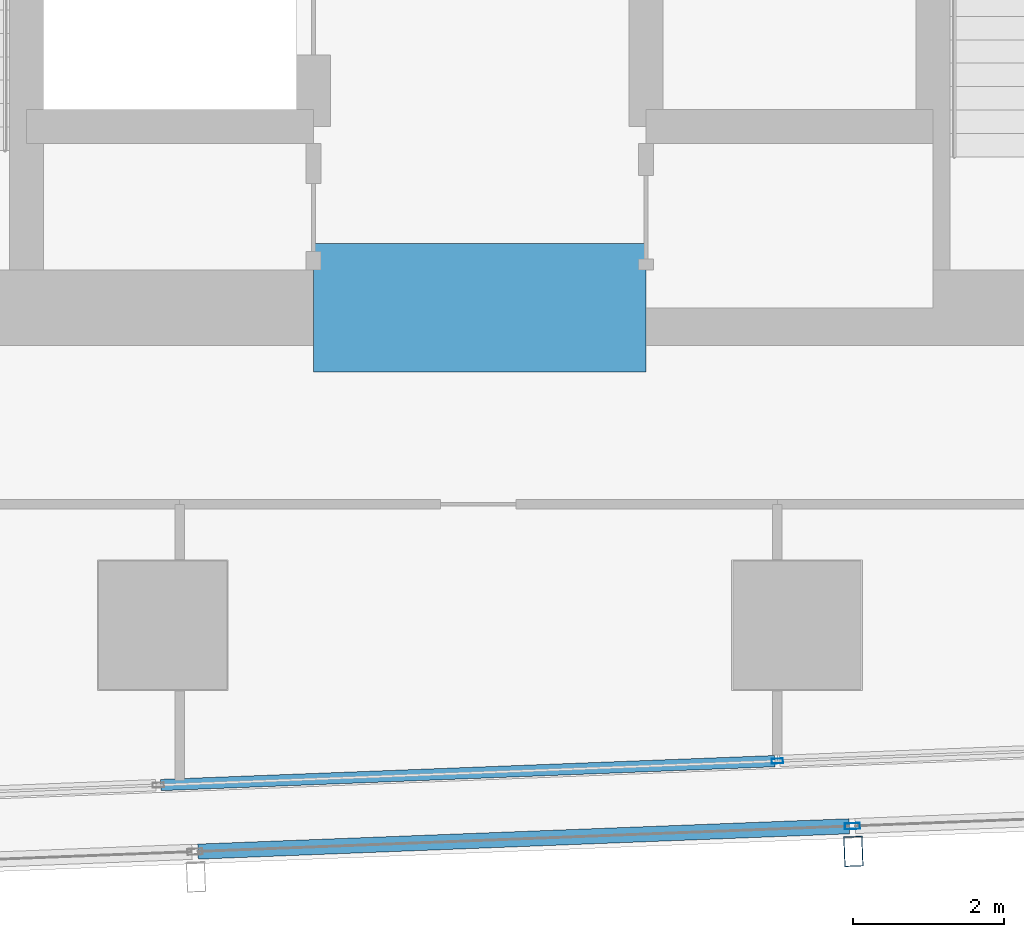
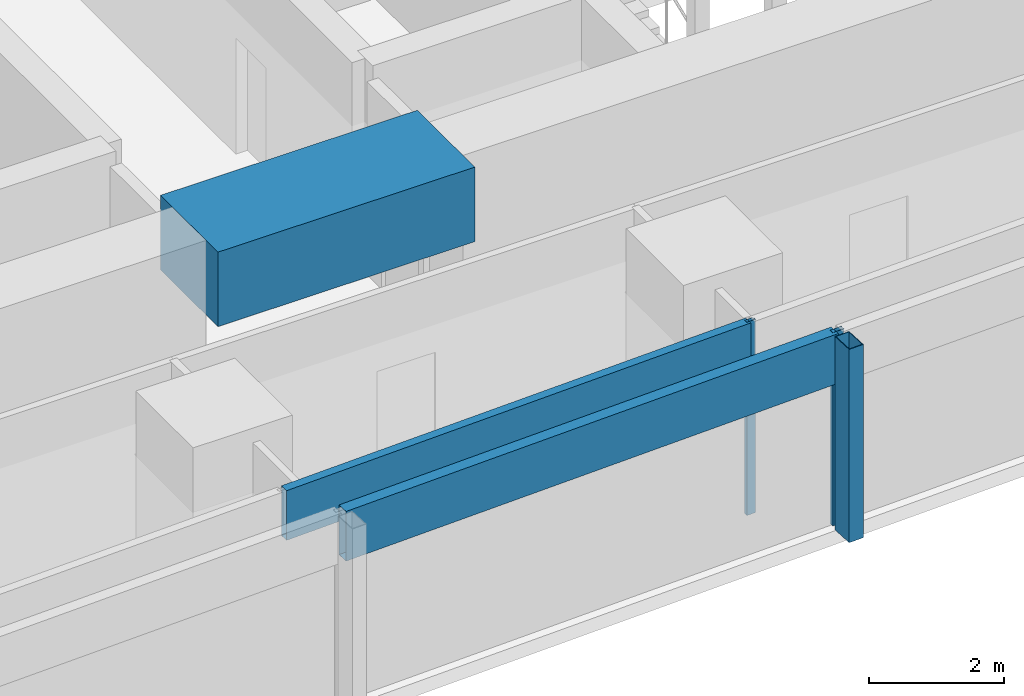
# One storey, part 6 of 38: 5 members, 1 beam, 2 elements without a shape of their own.
"""IFC4 building model written with IfcOpenShell, lengths in metres."""

from ifc_helpers import new_model, si_unit, direction, frame, origin, origin_2d, place, context, subcontext, project, spatial, rectangle, hollow_rectangle, extrude, material, material_profile, profile_set, type_object, element, aggregate, save


model = new_model("IFC4")

# Units and contexts
model_context = context("Model", 3, precision=1e-05, world=origin(), true_north=direction((0.0, 1.0)))
body_context = subcontext(model_context, "Body", "Model", "MODEL_VIEW")
ifc_project = project(units=[si_unit("LENGTHUNIT", "METRE"), si_unit("AREAUNIT", "SQUARE_METRE"), si_unit("VOLUMEUNIT", "CUBIC_METRE"), si_unit("PLANEANGLEUNIT", "RADIAN"), si_unit("MASSUNIT", "GRAM", prefix="KILO")], contexts=[model_context])

# Site, building, storey
site_placement = place(None, origin())
site = spatial("IfcSite", under=ifc_project, at=site_placement, CompositionType="ELEMENT")
building_placement = place(site_placement, origin())
building = spatial("IfcBuilding", under=site, at=building_placement, Name="Rekha Terrace Tower", CompositionType="ELEMENT")
storey_placement = place(building_placement, frame((0.0, 0.0, 114.050048828125)))
storey = spatial("IfcBuildingStorey", under=building, at=storey_placement, Name="L28", CompositionType="ELEMENT", Elevation=114.050048828125)

# Curtain wall, member
ifc_material_1 = material(Name="Aluminium framing", Category="aluminium")
curtain_wall_type_1 = type_object("IfcCurtainWallType", Name="CW2 double skin outer glazing", PredefinedType="USERDEFINED", material=ifc_material_1)
curtain_wall_1_placement = place(storey_placement, origin())
curtain_wall_1 = element("IfcCurtainWall", 1, at=curtain_wall_1_placement, inside=storey, type_object=curtain_wall_type_1, Name="CW2 double skin outer glazing", ObjectType="DOUBLE SKIN OUTER GLAZING", PredefinedType="USERDEFINED")
ifc_material_2 = material(Name="Steel S355 with fluorocarbon finish", Category="steel")
ifc_material_profile_1 = material_profile(ifc_material_2, hollow_rectangle(XDim=0.25, YDim=0.39990234375, WallThickness=0.012451171875, at=origin_2d()), Name="RHS400x250x12.5")
ifc_profile_set_1 = profile_set([ifc_material_profile_1], Name="Steel S355 with fluorocarbon finish")
member_type_1 = type_object("IfcMemberType", Name="BL1 facade blade RHS 400 x 250", PredefinedType="USERDEFINED", material=ifc_profile_set_1)
member_1_placement = place(storey_placement, frame((42.747314453125, 13.802978515625, 0.0), z_axis=(0.0, 0.0, 1.0), x_axis=(0.999243494356, 0.038890088543, 0.0)))
member_1 = element("IfcMember", 2, at=member_1_placement, type_object=member_type_1, Name="Facade blade", ObjectType="FACADE BLADE", PredefinedType="USERDEFINED", context=body_context, shape_type="SweptSolid", body=[
    extrude(hollow_rectangle(XDim=0.25, YDim=0.39990234375, WallThickness=0.012451171875, at=origin_2d()), origin(), (0.0, 0.0, 1.0), 3.5),
])

# Curtain wall, members
curtain_wall_type_2 = type_object("IfcCurtainWallType", Name="CW1 double skin inner glazing", PredefinedType="USERDEFINED", material=ifc_material_1)
curtain_wall_2_placement = place(storey_placement, origin())
curtain_wall_2 = element("IfcCurtainWall", 3, at=curtain_wall_2_placement, inside=storey, type_object=curtain_wall_type_2, Name="CW1 double skin inner glazing", ObjectType="DOUBLE SKIN INNER GLAZING", PredefinedType="USERDEFINED")
ifc_material_3 = material(Name="Aluminium mullion section", Category="aluminium")
ifc_material_profile_2 = material_profile(ifc_material_3, hollow_rectangle(XDim=0.06494140625, YDim=0.14990234375, WallThickness=0.00390625, at=origin_2d()), Name="AL RHS 65x150")
ifc_profile_set_2 = profile_set([ifc_material_profile_2], Name="Aluminium mullion section")
member_type_2 = type_object("IfcMemberType", Name="CW1 mullion RHS 65 x 150", PredefinedType="MULLION", material=ifc_profile_set_2)
member_2_placement = place(storey_placement, frame((41.740234375, 14.999755859375, 0.0), z_axis=(0.0, 0.0, 1.0), x_axis=(-0.038889971345, 0.999243498917, 0.0)))
member_2 = element("IfcMember", 4, at=member_2_placement, type_object=member_type_2, Name="CW1 mullion 3", PredefinedType="MULLION", context=body_context, shape_type="SweptSolid", body=[
    extrude(hollow_rectangle(XDim=0.06494140625, YDim=0.14990234375, WallThickness=0.00390625, at=origin_2d()), origin(), (0.0, 0.0, 1.0), 3.5),
])
ifc_material_4 = material(Name="Insulated aluminium spandrel box", Category="aluminium")
ifc_material_profile_3 = material_profile(ifc_material_4, hollow_rectangle(XDim=0.14990234375, YDim=0.89990234375, WallThickness=0.0029296875, at=origin_2d()), Name="AL SPANDREL BOX 150x900")
ifc_profile_set_3 = profile_set([ifc_material_profile_3], Name="Insulated aluminium spandrel box")
member_type_3 = type_object("IfcMemberType", Name="CW1 spandrel transom 150 x 900", PredefinedType="USERDEFINED", material=ifc_profile_set_3)
member_3_placement = place(storey_placement, frame((33.576416015625, 14.68212890625, 3.050048828125), z_axis=(0.999243790362, 0.038882482205, 0.0), x_axis=(-0.038882482205, 0.999243790362, 0.0)))
member_3 = element("IfcMember", 5, at=member_3_placement, type_object=member_type_3, Name="CW1 spandrel transom 2", ObjectType="TRANSOM", PredefinedType="USERDEFINED", context=body_context, shape_type="SweptSolid", body=[
    extrude(hollow_rectangle(XDim=0.14990234375, YDim=0.89990234375, WallThickness=0.0029296875, at=origin_2d()), origin(), (0.0, 0.0, 1.0), 8.137451171875),
])
aggregate(curtain_wall_2, [member_2, member_3])

# Member
ifc_material_profile_4 = material_profile(ifc_material_3, hollow_rectangle(XDim=0.080078125, YDim=0.199951171875, WallThickness=0.00390625, at=origin_2d()), Name="AL RHS 80x200")
ifc_profile_set_4 = profile_set([ifc_material_profile_4], Name="Aluminium mullion section")
member_type_4 = type_object("IfcMemberType", Name="CW2 mullion RHS 80 x 200", PredefinedType="MULLION", material=ifc_profile_set_4)
member_4_placement = place(storey_placement, frame((42.734130859375, 14.137939453125, 0.0), z_axis=(0.0, 0.0, 1.0), x_axis=(-0.038889971345, 0.999243498917, 0.0)))
member_4 = element("IfcMember", 6, at=member_4_placement, type_object=member_type_4, Name="CW2 mullion 3", PredefinedType="MULLION", context=body_context, shape_type="SweptSolid", body=[
    extrude(hollow_rectangle(XDim=0.080078125, YDim=0.199951171875, WallThickness=0.00390625, at=origin_2d()), origin(), (0.0, 0.0, 1.0), 3.5),
])

ifc_material_profile_5 = material_profile(ifc_material_4, hollow_rectangle(XDim=0.199951171875, YDim=0.89990234375, WallThickness=0.0029296875, at=origin_2d()), Name="AL SPANDREL BOX 200x900")
ifc_profile_set_5 = profile_set([ifc_material_profile_5], Name="Insulated aluminium spandrel box")
member_type_5 = type_object("IfcMemberType", Name="CW2 spandrel transom 200 x 900", PredefinedType="USERDEFINED", material=ifc_profile_set_5)
member_5_placement = place(storey_placement, frame((34.069091796875, 13.800537109375, 3.050048828125), z_axis=(0.999243438523, 0.038891523097, 0.0), x_axis=(-0.038891523097, 0.999243438523, 0.0)))
member_5 = element("IfcMember", 7, at=member_5_placement, type_object=member_type_5, Name="CW2 spandrel transom 2", ObjectType="TRANSOM", PredefinedType="USERDEFINED", context=body_context, shape_type="SweptSolid", body=[
    extrude(hollow_rectangle(XDim=0.199951171875, YDim=0.89990234375, WallThickness=0.0029296875, at=origin_2d()), origin(), (0.0, 0.0, 1.0), 8.631591796875),
])

aggregate(curtain_wall_1, [member_4, member_5, member_1])

# Beam
ifc_material_5 = material(Name="Concrete M70", Category="concrete")
ifc_material_profile_6 = material_profile(ifc_material_5, rectangle(XDim=1.699951171875, YDim=1.35009765625, at=origin_2d()), Name="RC 1700x1350")
ifc_profile_set_6 = profile_set([ifc_material_profile_6], Name="Concrete M70")
beam_type = type_object("IfcBeamType", Name="LB2A 1700x1350 diagonally reinforced coupling beam", PredefinedType="LINTEL", material=ifc_profile_set_6)
beam_placement = place(storey_placement, frame((35.60009765625, 21.0, 3.074951171875), z_axis=(1.0, 0.0, 0.0), x_axis=(0.0, 1.0, 0.0)))
element("IfcBeam", 8, at=beam_placement, inside=storey, type_object=beam_type, Name="Coupling beam LB2A S L28", PredefinedType="LINTEL", context=body_context, shape_type="SweptSolid", body=[
    extrude(rectangle(XDim=1.699951171875, YDim=1.35009765625, at=origin_2d()), origin(), (0.0, 0.0, 1.0), 4.39990234375),
])

save(model, "model.ifc")
